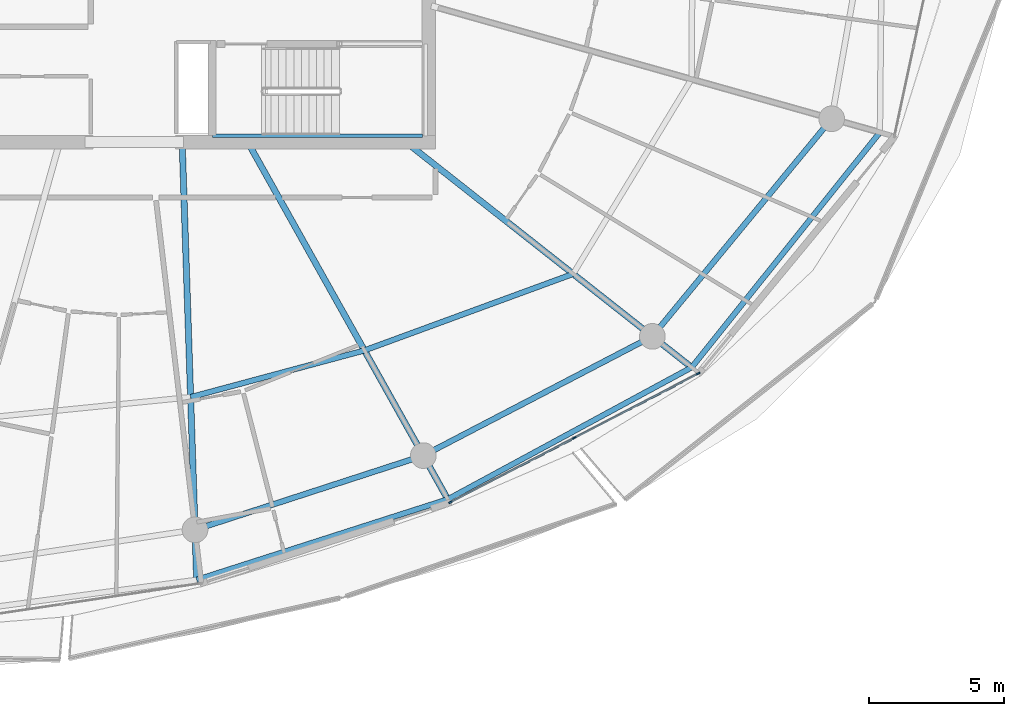
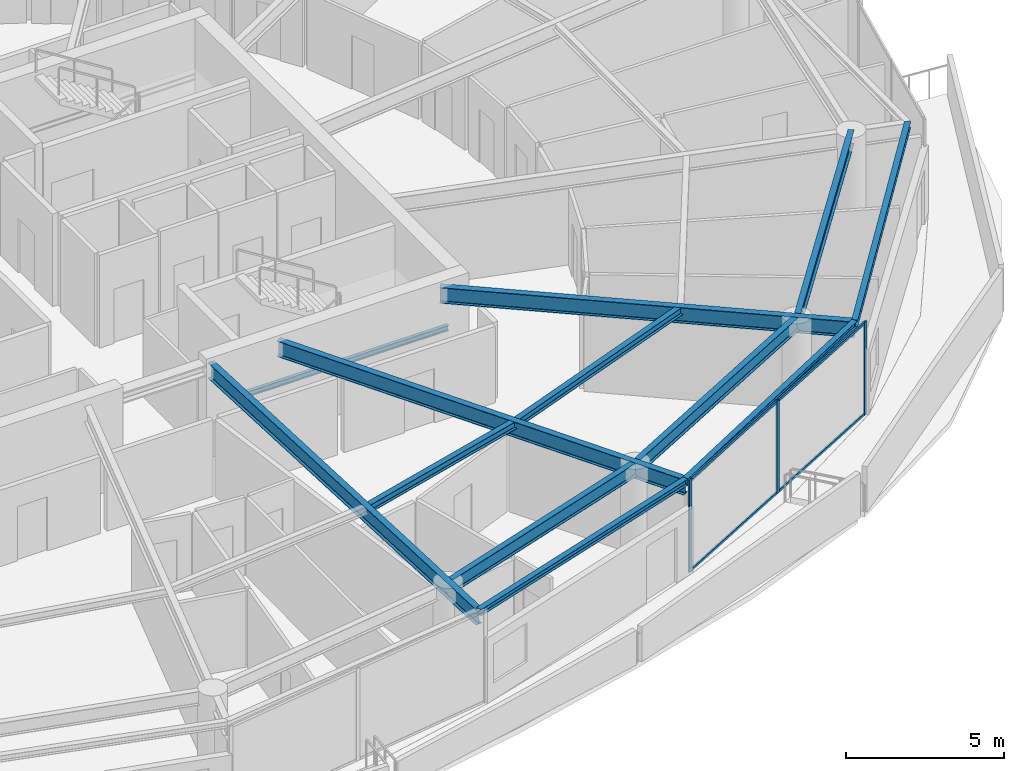
# One storey, part 9 of 29: 12 beams, 7 members, 1 element without a shape of its own.
"""IFC4 building model written with IfcOpenShell, lengths in metres."""

from ifc_helpers import new_model, si_unit, direction, frame, origin, origin_2d, place, context, subcontext, project, spatial, rectangle, i_section, extrude, material, layer, layer_set, material_profile, profile_set, type_object, element, aggregate, save


model = new_model("IFC4")

# Units and contexts
model_context = context("Model", 3, precision=1e-05, world=origin(), true_north=direction((0.0, 1.0)))
body_context = subcontext(model_context, "Body", "Model", "MODEL_VIEW")
ifc_project = project(units=[si_unit("LENGTHUNIT", "METRE"), si_unit("AREAUNIT", "SQUARE_METRE"), si_unit("VOLUMEUNIT", "CUBIC_METRE"), si_unit("PLANEANGLEUNIT", "RADIAN"), si_unit("MASSUNIT", "GRAM", prefix="KILO")], contexts=[model_context])

# Site, building, storey
site_placement = place(None, origin())
site = spatial("IfcSite", under=ifc_project, at=site_placement, CompositionType="ELEMENT")
building_placement = place(site_placement, origin())
building = spatial("IfcBuilding", under=site, at=building_placement, Name="Kazma Halo Residences", CompositionType="ELEMENT")
storey_placement = place(building_placement, frame((0.0, 0.0, 282.89990234375)))
storey = spatial("IfcBuildingStorey", under=building, at=storey_placement, Name="L71", CompositionType="ELEMENT", Elevation=282.89990234375)

# Beams
ifc_material_1 = material(Name="Steel S355", Category="steel")
ifc_material_profile_1 = material_profile(ifc_material_1, i_section(OverallWidth=0.201904296875, OverallDepth=0.2470703125, WebThickness=0.00732421875, FlangeThickness=0.010986328125, FilletRadius=0.011962890625, at=origin_2d()), Name="W250x49.1")
ifc_profile_set_1 = profile_set([ifc_material_profile_1], Name="Steel S355")
beam_type_1 = type_object("IfcBeamType", Name="BM-BAL-CANT", PredefinedType="BEAM", material=ifc_profile_set_1)
beam_1_placement = place(storey_placement, frame((50.732666015625, 17.580078125, 3.466552734375), z_axis=(0.952222879483, 0.305403974742, 0.0), x_axis=(-0.305403974742, 0.952222879483, 0.0)))
element("IfcBeam", 1, at=beam_1_placement, inside=storey, type_object=beam_type_1, Name="L71 wave-balcony tie beam 12", PredefinedType="BEAM", context=body_context, shape_type="SweptSolid", body=[
    extrude(i_section(OverallWidth=0.201904296875, OverallDepth=0.2470703125, WebThickness=0.00732421875, FlangeThickness=0.010986328125, FilletRadius=0.011962890625, at=origin_2d()), origin(), (0.0, 0.0, 1.0), 9.742431640625),
])
beam_2_placement = place(storey_placement, frame((60.009521484375, 20.555419921875, 3.466552734375), z_axis=(0.879517282036, 0.475866946321, 0.0), x_axis=(-0.475866946321, 0.879517282036, 0.0)))
element("IfcBeam", 2, at=beam_2_placement, inside=storey, type_object=beam_type_1, Name="L71 wave-balcony tie beam 13", PredefinedType="BEAM", context=body_context, shape_type="SweptSolid", body=[
    extrude(i_section(OverallWidth=0.201904296875, OverallDepth=0.2470703125, WebThickness=0.00732421875, FlangeThickness=0.010986328125, FilletRadius=0.011962890625, at=origin_2d()), origin(), (0.0, 0.0, 1.0), 10.243408203125),
])
beam_3_placement = place(storey_placement, frame((69.018798828125, 25.429931640625, 3.466552734375), z_axis=(0.625117912406, 0.780530329705, 0.0), x_axis=(-0.780530329705, 0.625117912406, 0.0)))
element("IfcBeam", 3, at=beam_3_placement, inside=storey, type_object=beam_type_1, Name="L71 wave-balcony tie beam 14", PredefinedType="BEAM", context=body_context, shape_type="SweptSolid", body=[
    extrude(i_section(OverallWidth=0.201904296875, OverallDepth=0.2470703125, WebThickness=0.00732421875, FlangeThickness=0.010986328125, FilletRadius=0.011962890625, at=origin_2d()), origin(), (0.0, 0.0, 1.0), 11.1220703125),
])
ifc_material_profile_2 = material_profile(ifc_material_1, i_section(OverallWidth=0.22802734375, OverallDepth=0.60791015625, WebThickness=0.01123046875, FlangeThickness=0.017333984375, FilletRadius=0.01806640625, at=origin_2d()), Name="W610x113")
ifc_profile_set_2 = profile_set([ifc_material_profile_2], Name="Steel S355")
beam_type_2 = type_object("IfcBeamType", Name="BM-RAD-W610", PredefinedType="BEAM", material=ifc_profile_set_2)
beam_4_placement = place(storey_placement, frame((50.199951171875, 33.64990234375, 3.2861328125), z_axis=(0.033131810975, -0.999450990845, 0.0), x_axis=(0.999450990845, 0.033131810975, 0.0)))
element("IfcBeam", 4, at=beam_4_placement, inside=storey, type_object=beam_type_2, Name="L71 radial floor beam 12", PredefinedType="BEAM", context=body_context, shape_type="SweptSolid", body=[
    extrude(i_section(OverallWidth=0.22802734375, OverallDepth=0.60791015625, WebThickness=0.01123046875, FlangeThickness=0.017333984375, FilletRadius=0.01806640625, at=origin_2d()), origin(), (0.0, 0.0, 1.0), 16.07861328125),
])
beam_5_placement = place(storey_placement, frame((52.67626953125, 33.64990234375, 3.2861328125), z_axis=(0.488620706085, -0.872496306918, 0.0), x_axis=(0.872496306918, 0.488620706085, 0.0)))
element("IfcBeam", 5, at=beam_5_placement, inside=storey, type_object=beam_type_2, Name="L71 radial floor beam 13", PredefinedType="BEAM", context=body_context, shape_type="SweptSolid", body=[
    extrude(i_section(OverallWidth=0.22802734375, OverallDepth=0.60791015625, WebThickness=0.01123046875, FlangeThickness=0.017333984375, FilletRadius=0.01806640625, at=origin_2d()), origin(), (0.0, 0.0, 1.0), 15.008056640625),
])
beam_6_placement = place(storey_placement, frame((58.591796875, 33.64990234375, 3.2861328125), z_axis=(0.785317474283, -0.619093260007, 0.0), x_axis=(0.619093260007, 0.785317474283, 0.0)))
element("IfcBeam", 6, at=beam_6_placement, inside=storey, type_object=beam_type_2, Name="L71 radial floor beam 14", PredefinedType="BEAM", context=body_context, shape_type="SweptSolid", body=[
    extrude(i_section(OverallWidth=0.22802734375, OverallDepth=0.60791015625, WebThickness=0.01123046875, FlangeThickness=0.017333984375, FilletRadius=0.01806640625, at=origin_2d()), origin(), (0.0, 0.0, 1.0), 13.27734375),
])
ifc_material_profile_3 = material_profile(ifc_material_1, i_section(OverallWidth=0.202880859375, OverallDepth=0.302978515625, WebThickness=0.007568359375, FlangeThickness=0.01318359375, FilletRadius=0.013916015625, at=origin_2d()), Name="W310x60")
ifc_profile_set_3 = profile_set([ifc_material_profile_3], Name="Steel S355")
beam_type_3 = type_object("IfcBeamType", Name="BM-SEC-W310A", PredefinedType="JOIST", material=ifc_profile_set_3)
beam_7_placement = place(storey_placement, frame((50.509033203125, 24.32958984375, 3.4384765625), z_axis=(0.965728418457, 0.259554660493, 0.0), x_axis=(-0.259554660493, 0.965728418457, 0.0)))
element("IfcBeam", 7, at=beam_7_placement, inside=storey, type_object=beam_type_3, Name="L71 circumferential floor joist 12", PredefinedType="JOIST", context=body_context, shape_type="SweptSolid", body=[
    extrude(i_section(OverallWidth=0.202880859375, OverallDepth=0.302978515625, WebThickness=0.007568359375, FlangeThickness=0.01318359375, FilletRadius=0.013916015625, at=origin_2d()), origin(), (0.0, 0.0, 1.0), 6.648193359375),
])
beam_8_placement = place(storey_placement, frame((56.929443359375, 26.05517578125, 3.4384765625), z_axis=(0.938873433212, 0.344262510896, 0.0), x_axis=(-0.344262510896, 0.938873433212, 0.0)))
element("IfcBeam", 8, at=beam_8_placement, inside=storey, type_object=beam_type_3, Name="L71 circumferential floor joist 13", PredefinedType="JOIST", context=body_context, shape_type="SweptSolid", body=[
    extrude(i_section(OverallWidth=0.202880859375, OverallDepth=0.302978515625, WebThickness=0.007568359375, FlangeThickness=0.01318359375, FilletRadius=0.013916015625, at=origin_2d()), origin(), (0.0, 0.0, 1.0), 8.212158203125),
])
ifc_material_profile_4 = material_profile(ifc_material_1, i_section(OverallWidth=0.208984375, OverallDepth=0.532958984375, WebThickness=0.01025390625, FlangeThickness=0.015625, FilletRadius=0.01611328125, at=origin_2d()), Name="W530x92")
ifc_profile_set_4 = profile_set([ifc_material_profile_4], Name="Steel S355")
beam_type_4 = type_object("IfcBeamType", Name="BM-SPN-W530", PredefinedType="BEAM", material=ifc_profile_set_4)
beam_9_placement = place(storey_placement, frame((50.67138671875, 19.42919921875, 3.323486328125), z_axis=(0.951053893407, 0.309025066679, 0.0), x_axis=(-0.309025066679, 0.951053893407, 0.0)))
element("IfcBeam", 9, at=beam_9_placement, inside=storey, type_object=beam_type_4, Name="L71 perimeter ring beam 12", PredefinedType="BEAM", context=body_context, shape_type="SweptSolid", body=[
    extrude(i_section(OverallWidth=0.208984375, OverallDepth=0.532958984375, WebThickness=0.01025390625, FlangeThickness=0.015625, FilletRadius=0.01611328125, at=origin_2d()), origin(), (0.0, 0.0, 1.0), 8.8681640625),
])
beam_10_placement = place(storey_placement, frame((59.10546875, 22.169677734375, 3.323486328125), z_axis=(0.886961047115, 0.461844238788, 0.0), x_axis=(-0.461844238788, 0.886961047115, 0.0)))
element("IfcBeam", 10, at=beam_10_placement, inside=storey, type_object=beam_type_4, Name="L71 perimeter ring beam 13", PredefinedType="BEAM", context=body_context, shape_type="SweptSolid", body=[
    extrude(i_section(OverallWidth=0.208984375, OverallDepth=0.532958984375, WebThickness=0.01025390625, FlangeThickness=0.015625, FilletRadius=0.01611328125, at=origin_2d()), origin(), (0.0, 0.0, 1.0), 9.5390625),
])
beam_11_placement = place(storey_placement, frame((67.566162109375, 26.5751953125, 3.323486328125), z_axis=(0.636002144225, 0.771687289348, 0.0), x_axis=(-0.771687289348, 0.636002144225, 0.0)))
element("IfcBeam", 11, at=beam_11_placement, inside=storey, type_object=beam_type_4, Name="L71 perimeter ring beam 14", PredefinedType="BEAM", context=body_context, shape_type="SweptSolid", body=[
    extrude(i_section(OverallWidth=0.208984375, OverallDepth=0.532958984375, WebThickness=0.01025390625, FlangeThickness=0.015625, FilletRadius=0.01611328125, at=origin_2d()), origin(), (0.0, 0.0, 1.0), 10.416259765625),
])
ifc_material_profile_5 = material_profile(ifc_material_1, i_section(OverallWidth=0.133056640625, OverallDepth=0.20703125, WebThickness=0.005859375, FlangeThickness=0.00830078125, FilletRadius=0.010009765625, at=origin_2d()), Name="W200x26.6")
ifc_profile_set_5 = profile_set([ifc_material_profile_5], Name="Steel S355")
beam_type_5 = type_object("IfcBeamType", Name="BM-TRIM-W200", PredefinedType="BEAM", material=ifc_profile_set_5)
beam_12_placement = place(storey_placement, frame((51.31005859375, 33.97998046875, 1.6201171875), z_axis=(1.0, 0.0, 0.0), x_axis=(0.0, 1.0, 0.0)))
element("IfcBeam", 12, at=beam_12_placement, inside=storey, type_object=beam_type_5, Name="L71 ST-03 landing south wall ledger", PredefinedType="BEAM", context=body_context, shape_type="SweptSolid", body=[
    extrude(i_section(OverallWidth=0.133056640625, OverallDepth=0.20703125, WebThickness=0.005859375, FlangeThickness=0.00830078125, FilletRadius=0.010009765625, at=origin_2d()), origin(), (0.0, 0.0, 1.0), 7.760009765625),
])

# Curtain wall, members
ifc_material_2 = material(Name="Aluminium AW-6063 T6 and Triple-Silver Low-E Glass", Category="aluminium")
ifc_layer = layer(ifc_material_2, 0.139892578125)
ifc_layer_set = layer_set([ifc_layer], Name="Aluminium AW-6063 T6 and Triple-Silver Low-E Glass")
curtain_wall_type = type_object("IfcCurtainWallType", Name="CW-SYS-5", PredefinedType="NOTDEFINED", material=ifc_layer_set)
curtain_wall_placement = place(storey_placement, origin())
curtain_wall = element("IfcCurtainWall", 13, at=curtain_wall_placement, inside=storey, type_object=curtain_wall_type, Name="L71 unitised curtain wall B13", PredefinedType="NOTDEFINED")
ifc_material_3 = material(Name="Aluminium AW-6063 T6", Category="aluminium")
ifc_material_profile_6 = material_profile(ifc_material_3, rectangle(XDim=0.06005859375, YDim=0.139892578125, at=origin_2d()), Name="CWM-60x140")
ifc_profile_set_6 = profile_set([ifc_material_profile_6], Name="Aluminium AW-6063 T6")
member_type_1 = type_object("IfcMemberType", Name="CW-SYS-5-MUL", PredefinedType="MULLION", material=ifc_profile_set_6)
member_1_placement = place(storey_placement, frame((60.105224609375, 20.446044921875, 0.0), z_axis=(0.0, 0.0, 1.0), x_axis=(-0.460960760804, 0.887420518694, 0.0)))
member_1 = element("IfcMember", 14, at=member_1_placement, type_object=member_type_1, Name="CWS-5 mullion 1", PredefinedType="MULLION", context=body_context, shape_type="SweptSolid", body=[
    extrude(rectangle(XDim=0.06005859375, YDim=0.139892578125, at=origin_2d()), origin(), (0.0, 0.0, 1.0), 3.590087890625),
])
member_2_placement = place(storey_placement, frame((64.68408203125, 22.824462890625, 0.0), z_axis=(0.0, 0.0, 1.0), x_axis=(-0.460960760804, 0.887420518694, 0.0)))
member_2 = element("IfcMember", 15, at=member_2_placement, type_object=member_type_1, Name="CWS-5 mullion 2", PredefinedType="MULLION", context=body_context, shape_type="SweptSolid", body=[
    extrude(rectangle(XDim=0.06005859375, YDim=0.139892578125, at=origin_2d()), origin(), (0.0, 0.0, 1.0), 3.590087890625),
])
member_3_placement = place(storey_placement, frame((69.262939453125, 25.202880859375, 0.0), z_axis=(0.0, 0.0, 1.0), x_axis=(-0.460960760804, 0.887420518694, 0.0)))
member_3 = element("IfcMember", 16, at=member_3_placement, type_object=member_type_1, Name="CWS-5 mullion 3", PredefinedType="MULLION", context=body_context, shape_type="SweptSolid", body=[
    extrude(rectangle(XDim=0.06005859375, YDim=0.139892578125, at=origin_2d()), origin(), (0.0, 0.0, 1.0), 3.590087890625),
])
ifc_material_profile_7 = material_profile(ifc_material_3, rectangle(XDim=0.06005859375, YDim=0.10498046875, at=origin_2d()), Name="CWT-60x105")
ifc_profile_set_7 = profile_set([ifc_material_profile_7], Name="Aluminium AW-6063 T6")
member_type_2 = type_object("IfcMemberType", Name="CW-SYS-5-TRN", PredefinedType="USERDEFINED", material=ifc_profile_set_7)
member_4_placement = place(storey_placement, frame((60.1318359375, 20.4599609375, 0.030029296875), z_axis=(0.887436955863, 0.46092911534, 0.0), x_axis=(-0.46092911534, 0.887436955863, 0.0)))
member_4 = element("IfcMember", 17, at=member_4_placement, type_object=member_type_2, Name="CWS-5 transom 1.1", ObjectType="TRANSOM", PredefinedType="USERDEFINED", context=body_context, shape_type="SweptSolid", body=[
    extrude(rectangle(XDim=0.06005859375, YDim=0.10498046875, at=origin_2d()), origin(), (0.0, 0.0, 1.0), 5.099609375),
])
member_5_placement = place(storey_placement, frame((60.1318359375, 20.4599609375, 3.56005859375), z_axis=(0.887436955863, 0.46092911534, 0.0), x_axis=(-0.46092911534, 0.887436955863, 0.0)))
member_5 = element("IfcMember", 18, at=member_5_placement, type_object=member_type_2, Name="CWS-5 transom 1.2", ObjectType="TRANSOM", PredefinedType="USERDEFINED", context=body_context, shape_type="SweptSolid", body=[
    extrude(rectangle(XDim=0.06005859375, YDim=0.10498046875, at=origin_2d()), origin(), (0.0, 0.0, 1.0), 5.099609375),
])
member_6_placement = place(storey_placement, frame((64.710693359375, 22.83837890625, 0.030029296875), z_axis=(0.887436955863, 0.46092911534, 0.0), x_axis=(-0.46092911534, 0.887436955863, 0.0)))
member_6 = element("IfcMember", 19, at=member_6_placement, type_object=member_type_2, Name="CWS-5 transom 2.1", ObjectType="TRANSOM", PredefinedType="USERDEFINED", context=body_context, shape_type="SweptSolid", body=[
    extrude(rectangle(XDim=0.06005859375, YDim=0.10498046875, at=origin_2d()), origin(), (0.0, 0.0, 1.0), 5.099609375),
])
member_7_placement = place(storey_placement, frame((64.710693359375, 22.83837890625, 3.56005859375), z_axis=(0.887436955863, 0.46092911534, 0.0), x_axis=(-0.46092911534, 0.887436955863, 0.0)))
member_7 = element("IfcMember", 20, at=member_7_placement, type_object=member_type_2, Name="CWS-5 transom 2.2", ObjectType="TRANSOM", PredefinedType="USERDEFINED", context=body_context, shape_type="SweptSolid", body=[
    extrude(rectangle(XDim=0.06005859375, YDim=0.10498046875, at=origin_2d()), origin(), (0.0, 0.0, 1.0), 5.099609375),
])
aggregate(curtain_wall, [member_1, member_2, member_3, member_4, member_5, member_6, member_7])

save(model, "model.ifc")
